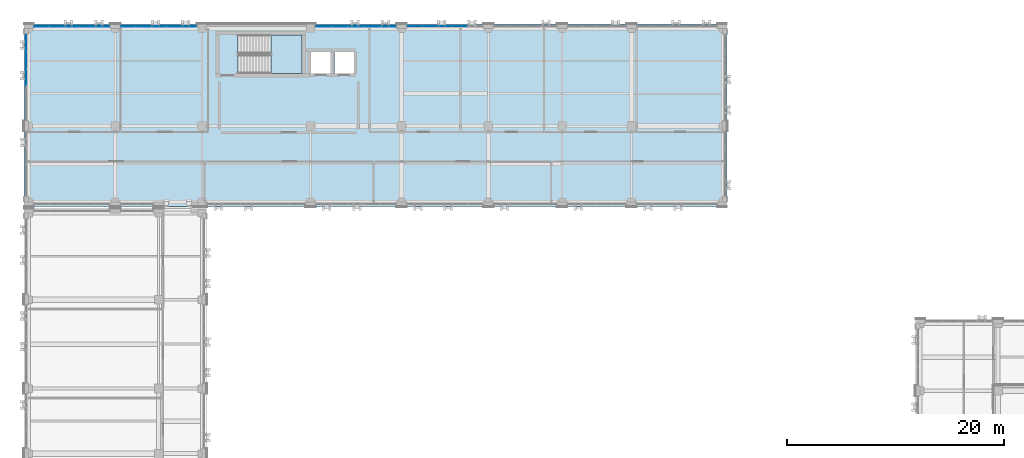
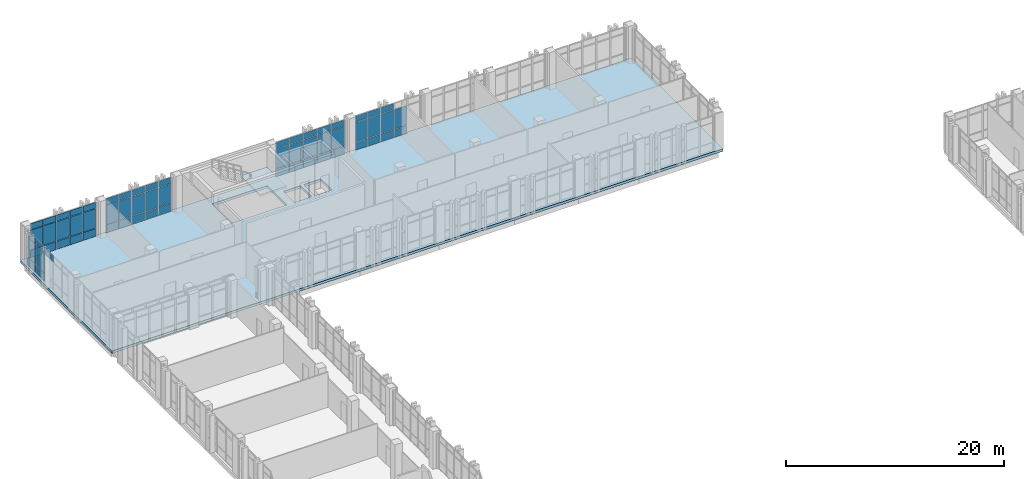
# One storey, part 124 of 158: 63 plates, 2 slabs, 6 elements without a shape of their own.
"""IFC4 building model written with IfcOpenShell, lengths in metres."""

from ifc_helpers import new_model, si_unit, direction, frame, origin, origin_2d, place, context, subcontext, project, spatial, polyline, rectangle, outline, extrude, material, layer, layer_set, type_object, element, aggregate, save


model = new_model("IFC4")

# Units and contexts
model_context = context("Model", 3, precision=1e-05, world=origin(), true_north=direction((0.0, 1.0)))
body_context = subcontext(model_context, "Body", "Model", "MODEL_VIEW")
ifc_project = project(units=[si_unit("LENGTHUNIT", "METRE"), si_unit("AREAUNIT", "SQUARE_METRE"), si_unit("VOLUMEUNIT", "CUBIC_METRE"), si_unit("PLANEANGLEUNIT", "RADIAN"), si_unit("MASSUNIT", "GRAM", prefix="KILO")], contexts=[model_context])

# Site, building, storey
site_placement = place(None, origin())
site = spatial("IfcSite", under=ifc_project, at=site_placement, CompositionType="ELEMENT")
building_placement = place(site_placement, origin())
building = spatial("IfcBuilding", under=site, at=building_placement, Name="Qalavern Law Courts", CompositionType="ELEMENT")
storey_placement = place(building_placement, frame((0.0, 0.0, 18.60009765625)))
storey = spatial("IfcBuildingStorey", under=building, at=storey_placement, Name="L04", CompositionType="ELEMENT", Elevation=18.60009765625)

# Curtain wall, plates
ifc_material_1 = material(Name="Anodised aluminium and insulated glazing", Category="aluminium")
ifc_layer_1 = layer(ifc_material_1, 0.166015625)
ifc_layer_set_1 = layer_set([ifc_layer_1], Name="Anodised aluminium and insulated glazing")
curtain_wall_type = type_object("IfcCurtainWallType", Name="ENV-CW-LIB", PredefinedType="USERDEFINED", material=ifc_layer_set_1)
curtain_wall_1_placement = place(storey_placement, origin())
curtain_wall_1 = element("IfcCurtainWall", 1, at=curtain_wall_1_placement, inside=storey, type_object=curtain_wall_type, Name="V5 unitised curtain wall L04 west 1", ObjectType="UNITISED CURTAIN WALL", PredefinedType="USERDEFINED")
ifc_material_2 = material(Name="Insulated low-E acoustic glazing", Category="glass")
ifc_layer_2 = layer(ifc_material_2, 0.02392578125)
ifc_layer_set_2 = layer_set([ifc_layer_2], Name="Insulated low-E acoustic glazing")
plate_type_1 = type_object("IfcPlateType", Name="ENV-CWP-24", PredefinedType="CURTAIN_PANEL", material=ifc_layer_set_2)
plate_1_placement = place(storey_placement, frame((2.199951171875, 111.24755859375, 0.0478515625), z_axis=(0.0, 0.0, 1.0), x_axis=(0.0, -1.0, 0.0)))
plate_1 = element("IfcPlate", 2, at=plate_1_placement, type_object=plate_type_1, Name="CW-05 panel 1.1", PredefinedType="CURTAIN_PANEL", context=body_context, shape_type="SweptSolid", body=[
    extrude(rectangle(XDim=1.51904296875, YDim=0.02392578125, at=origin_2d()), origin(), (0.0, 0.0, 1.0), 0.8779296875),
])
plate_2_placement = place(storey_placement, frame((2.199951171875, 111.24755859375, 0.97412109375), z_axis=(0.0, 0.0, 1.0), x_axis=(0.0, -1.0, 0.0)))
plate_2 = element("IfcPlate", 3, at=plate_2_placement, type_object=plate_type_1, Name="CW-05 panel 1.2", PredefinedType="CURTAIN_PANEL", context=body_context, shape_type="SweptSolid", body=[
    extrude(rectangle(XDim=1.51904296875, YDim=0.02392578125, at=origin_2d()), origin(), (0.0, 0.0, 1.0), 2.177001953125),
])
plate_3_placement = place(storey_placement, frame((2.199951171875, 111.24755859375, 3.19873046875), z_axis=(0.0, 0.0, 1.0), x_axis=(0.0, -1.0, 0.0)))
plate_3 = element("IfcPlate", 4, at=plate_3_placement, type_object=plate_type_1, Name="CW-05 panel 1.3", PredefinedType="CURTAIN_PANEL", context=body_context, shape_type="SweptSolid", body=[
    extrude(rectangle(XDim=1.51904296875, YDim=0.02392578125, at=origin_2d()), origin(), (0.0, 0.0, 1.0), 0.677978515625),
])
plate_4_placement = place(storey_placement, frame((2.199951171875, 109.66845703125, 0.0478515625), z_axis=(0.0, 0.0, 1.0), x_axis=(0.0, -1.0, 0.0)))
plate_4 = element("IfcPlate", 5, at=plate_4_placement, type_object=plate_type_1, Name="CW-05 panel 2.1", PredefinedType="CURTAIN_PANEL", context=body_context, shape_type="SweptSolid", body=[
    extrude(rectangle(XDim=1.54296875, YDim=0.02392578125, at=origin_2d()), origin(), (0.0, 0.0, 1.0), 0.8779296875),
])
plate_5_placement = place(storey_placement, frame((2.199951171875, 109.66845703125, 0.97412109375), z_axis=(0.0, 0.0, 1.0), x_axis=(0.0, -1.0, 0.0)))
plate_5 = element("IfcPlate", 6, at=plate_5_placement, type_object=plate_type_1, Name="CW-05 panel 2.2", PredefinedType="CURTAIN_PANEL", context=body_context, shape_type="SweptSolid", body=[
    extrude(rectangle(XDim=1.54296875, YDim=0.02392578125, at=origin_2d()), origin(), (0.0, 0.0, 1.0), 2.177001953125),
])
plate_6_placement = place(storey_placement, frame((2.199951171875, 109.66845703125, 3.19873046875), z_axis=(0.0, 0.0, 1.0), x_axis=(0.0, -1.0, 0.0)))
plate_6 = element("IfcPlate", 7, at=plate_6_placement, type_object=plate_type_1, Name="CW-05 panel 2.3", PredefinedType="CURTAIN_PANEL", context=body_context, shape_type="SweptSolid", body=[
    extrude(rectangle(XDim=1.54296875, YDim=0.02392578125, at=origin_2d()), origin(), (0.0, 0.0, 1.0), 0.677978515625),
])
plate_7_placement = place(storey_placement, frame((2.199951171875, 108.077392578125, 3.19873046875), z_axis=(0.0, 0.0, 1.0), x_axis=(0.0, -1.0, 0.0)))
plate_7 = element("IfcPlate", 8, at=plate_7_placement, type_object=plate_type_1, Name="CW-05 panel 3.3", PredefinedType="CURTAIN_PANEL", context=body_context, shape_type="SweptSolid", body=[
    extrude(rectangle(XDim=1.54296875, YDim=0.02392578125, at=origin_2d()), origin(), (0.0, 0.0, 1.0), 0.677978515625),
])
aggregate(curtain_wall_1, [plate_1, plate_2, plate_3, plate_4, plate_5, plate_6, plate_7])

curtain_wall_2_placement = place(storey_placement, origin())
curtain_wall_2 = element("IfcCurtainWall", 9, at=curtain_wall_2_placement, inside=storey, type_object=curtain_wall_type, Name="V5 unitised curtain wall L04 north 4", ObjectType="UNITISED CURTAIN WALL", PredefinedType="USERDEFINED")
ifc_layer_3 = layer(ifc_material_2, 0.035888671875)
ifc_layer_set_3 = layer_set([ifc_layer_3], Name="Insulated low-E acoustic glazing")
plate_type_2 = type_object("IfcPlateType", Name="ENV-CWP-36", PredefinedType="CURTAIN_PANEL", material=ifc_layer_set_3)
plate_8_placement = place(storey_placement, frame((42.199951171875, 112.800048828125, 0.0478515625), z_axis=(0.0, 0.0, 1.0), x_axis=(-1.0, 0.0, 0.0)))
plate_8 = element("IfcPlate", 10, at=plate_8_placement, type_object=plate_type_2, Name="CW-05 panel 2.1", PredefinedType="CURTAIN_PANEL", context=body_context, shape_type="SweptSolid", body=[
    extrude(rectangle(XDim=1.35205078125, YDim=0.035888671875, at=origin_2d()), origin(), (0.0, 0.0, 1.0), 0.8779296875),
])
plate_9_placement = place(storey_placement, frame((42.199951171875, 112.800048828125, 0.97412109375), z_axis=(0.0, 0.0, 1.0), x_axis=(-1.0, 0.0, 0.0)))
plate_9 = element("IfcPlate", 11, at=plate_9_placement, type_object=plate_type_2, Name="CW-05 panel 2.2", PredefinedType="CURTAIN_PANEL", context=body_context, shape_type="SweptSolid", body=[
    extrude(rectangle(XDim=1.35205078125, YDim=0.035888671875, at=origin_2d()), origin(), (0.0, 0.0, 1.0), 2.177001953125),
])
plate_10_placement = place(storey_placement, frame((40.800048828125, 112.800048828125, 0.0478515625), z_axis=(0.0, 0.0, 1.0), x_axis=(-1.0, 0.0, 0.0)))
plate_10 = element("IfcPlate", 12, at=plate_10_placement, type_object=plate_type_2, Name="CW-05 panel 3.1", PredefinedType="CURTAIN_PANEL", context=body_context, shape_type="SweptSolid", body=[
    extrude(rectangle(XDim=1.35205078125, YDim=0.035888671875, at=origin_2d()), origin(), (0.0, 0.0, 1.0), 0.8779296875),
])
plate_11_placement = place(storey_placement, frame((40.800048828125, 112.800048828125, 0.97412109375), z_axis=(0.0, 0.0, 1.0), x_axis=(-1.0, 0.0, 0.0)))
plate_11 = element("IfcPlate", 13, at=plate_11_placement, type_object=plate_type_2, Name="CW-05 panel 3.2", PredefinedType="CURTAIN_PANEL", context=body_context, shape_type="SweptSolid", body=[
    extrude(rectangle(XDim=1.35205078125, YDim=0.035888671875, at=origin_2d()), origin(), (0.0, 0.0, 1.0), 2.177001953125),
])
plate_12_placement = place(storey_placement, frame((40.800048828125, 112.800048828125, 3.19873046875), z_axis=(0.0, 0.0, 1.0), x_axis=(-1.0, 0.0, 0.0)))
plate_12 = element("IfcPlate", 14, at=plate_12_placement, type_object=plate_type_2, Name="CW-05 panel 3.3", PredefinedType="CURTAIN_PANEL", context=body_context, shape_type="SweptSolid", body=[
    extrude(rectangle(XDim=1.35205078125, YDim=0.035888671875, at=origin_2d()), origin(), (0.0, 0.0, 1.0), 0.677978515625),
])
plate_13_placement = place(storey_placement, frame((39.39990234375, 112.800048828125, 0.0478515625), z_axis=(0.0, 0.0, 1.0), x_axis=(-1.0, 0.0, 0.0)))
plate_13 = element("IfcPlate", 15, at=plate_13_placement, type_object=plate_type_2, Name="CW-05 panel 4.1", PredefinedType="CURTAIN_PANEL", context=body_context, shape_type="SweptSolid", body=[
    extrude(rectangle(XDim=1.35205078125, YDim=0.035888671875, at=origin_2d()), origin(), (0.0, 0.0, 1.0), 0.8779296875),
])
plate_14_placement = place(storey_placement, frame((39.39990234375, 112.800048828125, 0.97412109375), z_axis=(0.0, 0.0, 1.0), x_axis=(-1.0, 0.0, 0.0)))
plate_14 = element("IfcPlate", 16, at=plate_14_placement, type_object=plate_type_2, Name="CW-05 panel 4.2", PredefinedType="CURTAIN_PANEL", context=body_context, shape_type="SweptSolid", body=[
    extrude(rectangle(XDim=1.35205078125, YDim=0.035888671875, at=origin_2d()), origin(), (0.0, 0.0, 1.0), 2.177001953125),
])
plate_15_placement = place(storey_placement, frame((39.39990234375, 112.800048828125, 3.19873046875), z_axis=(0.0, 0.0, 1.0), x_axis=(-1.0, 0.0, 0.0)))
plate_15 = element("IfcPlate", 17, at=plate_15_placement, type_object=plate_type_2, Name="CW-05 panel 4.3", PredefinedType="CURTAIN_PANEL", context=body_context, shape_type="SweptSolid", body=[
    extrude(rectangle(XDim=1.35205078125, YDim=0.035888671875, at=origin_2d()), origin(), (0.0, 0.0, 1.0), 0.677978515625),
])
plate_16_placement = place(storey_placement, frame((38.011962890625, 112.800048828125, 0.0478515625), z_axis=(0.0, 0.0, 1.0), x_axis=(-1.0, 0.0, 0.0)))
plate_16 = element("IfcPlate", 18, at=plate_16_placement, type_object=plate_type_2, Name="CW-05 panel 5.1", PredefinedType="CURTAIN_PANEL", context=body_context, shape_type="SweptSolid", body=[
    extrude(rectangle(XDim=1.327880859375, YDim=0.035888671875, at=origin_2d()), origin(), (0.0, 0.0, 1.0), 0.8779296875),
])
plate_17_placement = place(storey_placement, frame((38.011962890625, 112.800048828125, 0.97412109375), z_axis=(0.0, 0.0, 1.0), x_axis=(-1.0, 0.0, 0.0)))
plate_17 = element("IfcPlate", 19, at=plate_17_placement, type_object=plate_type_2, Name="CW-05 panel 5.2", PredefinedType="CURTAIN_PANEL", context=body_context, shape_type="SweptSolid", body=[
    extrude(rectangle(XDim=1.327880859375, YDim=0.035888671875, at=origin_2d()), origin(), (0.0, 0.0, 1.0), 2.177001953125),
])
plate_18_placement = place(storey_placement, frame((38.011962890625, 112.800048828125, 3.19873046875), z_axis=(0.0, 0.0, 1.0), x_axis=(-1.0, 0.0, 0.0)))
plate_18 = element("IfcPlate", 20, at=plate_18_placement, type_object=plate_type_2, Name="CW-05 panel 5.3", PredefinedType="CURTAIN_PANEL", context=body_context, shape_type="SweptSolid", body=[
    extrude(rectangle(XDim=1.327880859375, YDim=0.035888671875, at=origin_2d()), origin(), (0.0, 0.0, 1.0), 0.677978515625),
])
aggregate(curtain_wall_2, [plate_8, plate_9, plate_10, plate_11, plate_12, plate_13, plate_14, plate_15, plate_16, plate_17, plate_18])

curtain_wall_3_placement = place(storey_placement, origin())
curtain_wall_3 = element("IfcCurtainWall", 21, at=curtain_wall_3_placement, inside=storey, type_object=curtain_wall_type, Name="V5 unitised curtain wall L04 north 5", ObjectType="UNITISED CURTAIN WALL", PredefinedType="USERDEFINED")
ifc_layer_4 = layer(ifc_material_2, 0.0400390625)
ifc_layer_set_4 = layer_set([ifc_layer_4], Name="Insulated low-E acoustic glazing")
plate_type_3 = type_object("IfcPlateType", Name="ENV-CWP-40", PredefinedType="CURTAIN_PANEL", material=ifc_layer_set_4)
plate_19_placement = place(storey_placement, frame((35.548095703125, 112.800048828125, 0.0478515625), z_axis=(0.0, 0.0, 1.0), x_axis=(-1.0, 0.0, 0.0)))
plate_19 = element("IfcPlate", 22, at=plate_19_placement, type_object=plate_type_3, Name="CW-05 panel 1.1", PredefinedType="CURTAIN_PANEL", context=body_context, shape_type="SweptSolid", body=[
    extrude(rectangle(XDim=1.407958984375, YDim=0.0400390625, at=origin_2d()), origin(), (0.0, 0.0, 1.0), 0.8779296875),
])
plate_20_placement = place(storey_placement, frame((35.548095703125, 112.800048828125, 0.97412109375), z_axis=(0.0, 0.0, 1.0), x_axis=(-1.0, 0.0, 0.0)))
plate_20 = element("IfcPlate", 23, at=plate_20_placement, type_object=plate_type_3, Name="CW-05 panel 1.2", PredefinedType="CURTAIN_PANEL", context=body_context, shape_type="SweptSolid", body=[
    extrude(rectangle(XDim=1.407958984375, YDim=0.0400390625, at=origin_2d()), origin(), (0.0, 0.0, 1.0), 2.177001953125),
])
plate_21_placement = place(storey_placement, frame((35.548095703125, 112.800048828125, 3.19873046875), z_axis=(0.0, 0.0, 1.0), x_axis=(-1.0, 0.0, 0.0)))
plate_21 = element("IfcPlate", 24, at=plate_21_placement, type_object=plate_type_3, Name="CW-05 panel 1.3", PredefinedType="CURTAIN_PANEL", context=body_context, shape_type="SweptSolid", body=[
    extrude(rectangle(XDim=1.407958984375, YDim=0.0400390625, at=origin_2d()), origin(), (0.0, 0.0, 1.0), 0.677978515625),
])
plate_22_placement = place(storey_placement, frame((34.080078125, 112.800048828125, 0.0478515625), z_axis=(0.0, 0.0, 1.0), x_axis=(-1.0, 0.0, 0.0)))
plate_22 = element("IfcPlate", 25, at=plate_22_placement, type_object=plate_type_3, Name="CW-05 panel 2.1", PredefinedType="CURTAIN_PANEL", context=body_context, shape_type="SweptSolid", body=[
    extrude(rectangle(XDim=1.431884765625, YDim=0.0400390625, at=origin_2d()), origin(), (0.0, 0.0, 1.0), 0.8779296875),
])
plate_23_placement = place(storey_placement, frame((34.080078125, 112.800048828125, 0.97412109375), z_axis=(0.0, 0.0, 1.0), x_axis=(-1.0, 0.0, 0.0)))
plate_23 = element("IfcPlate", 26, at=plate_23_placement, type_object=plate_type_3, Name="CW-05 panel 2.2", PredefinedType="CURTAIN_PANEL", context=body_context, shape_type="SweptSolid", body=[
    extrude(rectangle(XDim=1.431884765625, YDim=0.0400390625, at=origin_2d()), origin(), (0.0, 0.0, 1.0), 2.177001953125),
])
plate_24_placement = place(storey_placement, frame((34.080078125, 112.800048828125, 3.19873046875), z_axis=(0.0, 0.0, 1.0), x_axis=(-1.0, 0.0, 0.0)))
plate_24 = element("IfcPlate", 27, at=plate_24_placement, type_object=plate_type_3, Name="CW-05 panel 2.3", PredefinedType="CURTAIN_PANEL", context=body_context, shape_type="SweptSolid", body=[
    extrude(rectangle(XDim=1.431884765625, YDim=0.0400390625, at=origin_2d()), origin(), (0.0, 0.0, 1.0), 0.677978515625),
])
plate_25_placement = place(storey_placement, frame((32.60009765625, 112.800048828125, 0.0478515625), z_axis=(0.0, 0.0, 1.0), x_axis=(-1.0, 0.0, 0.0)))
plate_25 = element("IfcPlate", 28, at=plate_25_placement, type_object=plate_type_3, Name="CW-05 panel 3.1", PredefinedType="CURTAIN_PANEL", context=body_context, shape_type="SweptSolid", body=[
    extrude(rectangle(XDim=1.431884765625, YDim=0.0400390625, at=origin_2d()), origin(), (0.0, 0.0, 1.0), 0.8779296875),
])
plate_26_placement = place(storey_placement, frame((32.60009765625, 112.800048828125, 0.97412109375), z_axis=(0.0, 0.0, 1.0), x_axis=(-1.0, 0.0, 0.0)))
plate_26 = element("IfcPlate", 29, at=plate_26_placement, type_object=plate_type_3, Name="CW-05 panel 3.2", PredefinedType="CURTAIN_PANEL", context=body_context, shape_type="SweptSolid", body=[
    extrude(rectangle(XDim=1.431884765625, YDim=0.0400390625, at=origin_2d()), origin(), (0.0, 0.0, 1.0), 2.177001953125),
])
plate_27_placement = place(storey_placement, frame((32.60009765625, 112.800048828125, 3.19873046875), z_axis=(0.0, 0.0, 1.0), x_axis=(-1.0, 0.0, 0.0)))
plate_27 = element("IfcPlate", 30, at=plate_27_placement, type_object=plate_type_3, Name="CW-05 panel 3.3", PredefinedType="CURTAIN_PANEL", context=body_context, shape_type="SweptSolid", body=[
    extrude(rectangle(XDim=1.431884765625, YDim=0.0400390625, at=origin_2d()), origin(), (0.0, 0.0, 1.0), 0.677978515625),
])
plate_28_placement = place(storey_placement, frame((31.1201171875, 112.800048828125, 0.0478515625), z_axis=(0.0, 0.0, 1.0), x_axis=(-1.0, 0.0, 0.0)))
plate_28 = element("IfcPlate", 31, at=plate_28_placement, type_object=plate_type_3, Name="CW-05 panel 4.1", PredefinedType="CURTAIN_PANEL", context=body_context, shape_type="SweptSolid", body=[
    extrude(rectangle(XDim=1.431884765625, YDim=0.0400390625, at=origin_2d()), origin(), (0.0, 0.0, 1.0), 0.8779296875),
])
plate_29_placement = place(storey_placement, frame((31.1201171875, 112.800048828125, 0.97412109375), z_axis=(0.0, 0.0, 1.0), x_axis=(-1.0, 0.0, 0.0)))
plate_29 = element("IfcPlate", 32, at=plate_29_placement, type_object=plate_type_3, Name="CW-05 panel 4.2", PredefinedType="CURTAIN_PANEL", context=body_context, shape_type="SweptSolid", body=[
    extrude(rectangle(XDim=1.431884765625, YDim=0.0400390625, at=origin_2d()), origin(), (0.0, 0.0, 1.0), 2.177001953125),
])
plate_30_placement = place(storey_placement, frame((31.1201171875, 112.800048828125, 3.19873046875), z_axis=(0.0, 0.0, 1.0), x_axis=(-1.0, 0.0, 0.0)))
plate_30 = element("IfcPlate", 33, at=plate_30_placement, type_object=plate_type_3, Name="CW-05 panel 4.3", PredefinedType="CURTAIN_PANEL", context=body_context, shape_type="SweptSolid", body=[
    extrude(rectangle(XDim=1.431884765625, YDim=0.0400390625, at=origin_2d()), origin(), (0.0, 0.0, 1.0), 0.677978515625),
])
plate_31_placement = place(storey_placement, frame((29.652099609375, 112.800048828125, 0.0478515625), z_axis=(0.0, 0.0, 1.0), x_axis=(-1.0, 0.0, 0.0)))
plate_31 = element("IfcPlate", 34, at=plate_31_placement, type_object=plate_type_3, Name="CW-05 panel 5.1", PredefinedType="CURTAIN_PANEL", context=body_context, shape_type="SweptSolid", body=[
    extrude(rectangle(XDim=1.407958984375, YDim=0.0400390625, at=origin_2d()), origin(), (0.0, 0.0, 1.0), 0.8779296875),
])
plate_32_placement = place(storey_placement, frame((29.652099609375, 112.800048828125, 0.97412109375), z_axis=(0.0, 0.0, 1.0), x_axis=(-1.0, 0.0, 0.0)))
plate_32 = element("IfcPlate", 35, at=plate_32_placement, type_object=plate_type_3, Name="CW-05 panel 5.2", PredefinedType="CURTAIN_PANEL", context=body_context, shape_type="SweptSolid", body=[
    extrude(rectangle(XDim=1.407958984375, YDim=0.0400390625, at=origin_2d()), origin(), (0.0, 0.0, 1.0), 2.177001953125),
])
plate_33_placement = place(storey_placement, frame((29.652099609375, 112.800048828125, 3.19873046875), z_axis=(0.0, 0.0, 1.0), x_axis=(-1.0, 0.0, 0.0)))
plate_33 = element("IfcPlate", 36, at=plate_33_placement, type_object=plate_type_3, Name="CW-05 panel 5.3", PredefinedType="CURTAIN_PANEL", context=body_context, shape_type="SweptSolid", body=[
    extrude(rectangle(XDim=1.407958984375, YDim=0.0400390625, at=origin_2d()), origin(), (0.0, 0.0, 1.0), 0.677978515625),
])
aggregate(curtain_wall_3, [plate_19, plate_20, plate_21, plate_22, plate_23, plate_24, plate_25, plate_26, plate_27, plate_28, plate_29, plate_30, plate_31, plate_32, plate_33])

curtain_wall_4_placement = place(storey_placement, origin())
curtain_wall_4 = element("IfcCurtainWall", 37, at=curtain_wall_4_placement, inside=storey, type_object=curtain_wall_type, Name="V5 unitised curtain wall L04 north 6", ObjectType="UNITISED CURTAIN WALL", PredefinedType="USERDEFINED")
ifc_layer_5 = layer(ifc_material_2, 0.0439453125)
ifc_layer_set_5 = layer_set([ifc_layer_5], Name="Insulated low-E acoustic glazing")
plate_type_4 = type_object("IfcPlateType", Name="ENV-CWP-44", PredefinedType="CURTAIN_PANEL", material=ifc_layer_set_5)
plate_34_placement = place(storey_placement, frame((17.18798828125, 112.800048828125, 0.0478515625), z_axis=(0.0, 0.0, 1.0), x_axis=(-1.0, 0.0, 0.0)))
plate_34 = element("IfcPlate", 38, at=plate_34_placement, type_object=plate_type_4, Name="CW-05 panel 1.1", PredefinedType="CURTAIN_PANEL", context=body_context, shape_type="SweptSolid", body=[
    extrude(rectangle(XDim=1.327880859375, YDim=0.0439453125, at=origin_2d()), origin(), (0.0, 0.0, 1.0), 0.8779296875),
])
plate_35_placement = place(storey_placement, frame((17.18798828125, 112.800048828125, 0.97412109375), z_axis=(0.0, 0.0, 1.0), x_axis=(-1.0, 0.0, 0.0)))
plate_35 = element("IfcPlate", 39, at=plate_35_placement, type_object=plate_type_4, Name="CW-05 panel 1.2", PredefinedType="CURTAIN_PANEL", context=body_context, shape_type="SweptSolid", body=[
    extrude(rectangle(XDim=1.327880859375, YDim=0.0439453125, at=origin_2d()), origin(), (0.0, 0.0, 1.0), 2.177001953125),
])
plate_36_placement = place(storey_placement, frame((17.18798828125, 112.800048828125, 3.19873046875), z_axis=(0.0, 0.0, 1.0), x_axis=(-1.0, 0.0, 0.0)))
plate_36 = element("IfcPlate", 40, at=plate_36_placement, type_object=plate_type_4, Name="CW-05 panel 1.3", PredefinedType="CURTAIN_PANEL", context=body_context, shape_type="SweptSolid", body=[
    extrude(rectangle(XDim=1.327880859375, YDim=0.0439453125, at=origin_2d()), origin(), (0.0, 0.0, 1.0), 0.677978515625),
])
plate_37_placement = place(storey_placement, frame((15.800048828125, 112.800048828125, 0.0478515625), z_axis=(0.0, 0.0, 1.0), x_axis=(-1.0, 0.0, 0.0)))
plate_37 = element("IfcPlate", 41, at=plate_37_placement, type_object=plate_type_4, Name="CW-05 panel 2.1", PredefinedType="CURTAIN_PANEL", context=body_context, shape_type="SweptSolid", body=[
    extrude(rectangle(XDim=1.35205078125, YDim=0.0439453125, at=origin_2d()), origin(), (0.0, 0.0, 1.0), 0.8779296875),
])
plate_38_placement = place(storey_placement, frame((15.800048828125, 112.800048828125, 0.97412109375), z_axis=(0.0, 0.0, 1.0), x_axis=(-1.0, 0.0, 0.0)))
plate_38 = element("IfcPlate", 42, at=plate_38_placement, type_object=plate_type_4, Name="CW-05 panel 2.2", PredefinedType="CURTAIN_PANEL", context=body_context, shape_type="SweptSolid", body=[
    extrude(rectangle(XDim=1.35205078125, YDim=0.0439453125, at=origin_2d()), origin(), (0.0, 0.0, 1.0), 2.177001953125),
])
plate_39_placement = place(storey_placement, frame((15.800048828125, 112.800048828125, 3.19873046875), z_axis=(0.0, 0.0, 1.0), x_axis=(-1.0, 0.0, 0.0)))
plate_39 = element("IfcPlate", 43, at=plate_39_placement, type_object=plate_type_4, Name="CW-05 panel 2.3", PredefinedType="CURTAIN_PANEL", context=body_context, shape_type="SweptSolid", body=[
    extrude(rectangle(XDim=1.35205078125, YDim=0.0439453125, at=origin_2d()), origin(), (0.0, 0.0, 1.0), 0.677978515625),
])
plate_40_placement = place(storey_placement, frame((14.39990234375, 112.800048828125, 0.0478515625), z_axis=(0.0, 0.0, 1.0), x_axis=(-1.0, 0.0, 0.0)))
plate_40 = element("IfcPlate", 44, at=plate_40_placement, type_object=plate_type_4, Name="CW-05 panel 3.1", PredefinedType="CURTAIN_PANEL", context=body_context, shape_type="SweptSolid", body=[
    extrude(rectangle(XDim=1.35205078125, YDim=0.0439453125, at=origin_2d()), origin(), (0.0, 0.0, 1.0), 0.8779296875),
])
plate_41_placement = place(storey_placement, frame((14.39990234375, 112.800048828125, 0.97412109375), z_axis=(0.0, 0.0, 1.0), x_axis=(-1.0, 0.0, 0.0)))
plate_41 = element("IfcPlate", 45, at=plate_41_placement, type_object=plate_type_4, Name="CW-05 panel 3.2", PredefinedType="CURTAIN_PANEL", context=body_context, shape_type="SweptSolid", body=[
    extrude(rectangle(XDim=1.35205078125, YDim=0.0439453125, at=origin_2d()), origin(), (0.0, 0.0, 1.0), 2.177001953125),
])
plate_42_placement = place(storey_placement, frame((14.39990234375, 112.800048828125, 3.19873046875), z_axis=(0.0, 0.0, 1.0), x_axis=(-1.0, 0.0, 0.0)))
plate_42 = element("IfcPlate", 46, at=plate_42_placement, type_object=plate_type_4, Name="CW-05 panel 3.3", PredefinedType="CURTAIN_PANEL", context=body_context, shape_type="SweptSolid", body=[
    extrude(rectangle(XDim=1.35205078125, YDim=0.0439453125, at=origin_2d()), origin(), (0.0, 0.0, 1.0), 0.677978515625),
])
plate_43_placement = place(storey_placement, frame((13.0, 112.800048828125, 0.0478515625), z_axis=(0.0, 0.0, 1.0), x_axis=(-1.0, 0.0, 0.0)))
plate_43 = element("IfcPlate", 47, at=plate_43_placement, type_object=plate_type_4, Name="CW-05 panel 4.1", PredefinedType="CURTAIN_PANEL", context=body_context, shape_type="SweptSolid", body=[
    extrude(rectangle(XDim=1.35205078125, YDim=0.0439453125, at=origin_2d()), origin(), (0.0, 0.0, 1.0), 0.8779296875),
])
plate_44_placement = place(storey_placement, frame((13.0, 112.800048828125, 0.97412109375), z_axis=(0.0, 0.0, 1.0), x_axis=(-1.0, 0.0, 0.0)))
plate_44 = element("IfcPlate", 48, at=plate_44_placement, type_object=plate_type_4, Name="CW-05 panel 4.2", PredefinedType="CURTAIN_PANEL", context=body_context, shape_type="SweptSolid", body=[
    extrude(rectangle(XDim=1.35205078125, YDim=0.0439453125, at=origin_2d()), origin(), (0.0, 0.0, 1.0), 2.177001953125),
])
plate_45_placement = place(storey_placement, frame((13.0, 112.800048828125, 3.19873046875), z_axis=(0.0, 0.0, 1.0), x_axis=(-1.0, 0.0, 0.0)))
plate_45 = element("IfcPlate", 49, at=plate_45_placement, type_object=plate_type_4, Name="CW-05 panel 4.3", PredefinedType="CURTAIN_PANEL", context=body_context, shape_type="SweptSolid", body=[
    extrude(rectangle(XDim=1.35205078125, YDim=0.0439453125, at=origin_2d()), origin(), (0.0, 0.0, 1.0), 0.677978515625),
])
plate_46_placement = place(storey_placement, frame((11.612060546875, 112.800048828125, 0.0478515625), z_axis=(0.0, 0.0, 1.0), x_axis=(-1.0, 0.0, 0.0)))
plate_46 = element("IfcPlate", 50, at=plate_46_placement, type_object=plate_type_4, Name="CW-05 panel 5.1", PredefinedType="CURTAIN_PANEL", context=body_context, shape_type="SweptSolid", body=[
    extrude(rectangle(XDim=1.327880859375, YDim=0.0439453125, at=origin_2d()), origin(), (0.0, 0.0, 1.0), 0.8779296875),
])
plate_47_placement = place(storey_placement, frame((11.612060546875, 112.800048828125, 0.97412109375), z_axis=(0.0, 0.0, 1.0), x_axis=(-1.0, 0.0, 0.0)))
plate_47 = element("IfcPlate", 51, at=plate_47_placement, type_object=plate_type_4, Name="CW-05 panel 5.2", PredefinedType="CURTAIN_PANEL", context=body_context, shape_type="SweptSolid", body=[
    extrude(rectangle(XDim=1.327880859375, YDim=0.0439453125, at=origin_2d()), origin(), (0.0, 0.0, 1.0), 2.177001953125),
])
plate_48_placement = place(storey_placement, frame((11.612060546875, 112.800048828125, 3.19873046875), z_axis=(0.0, 0.0, 1.0), x_axis=(-1.0, 0.0, 0.0)))
plate_48 = element("IfcPlate", 52, at=plate_48_placement, type_object=plate_type_4, Name="CW-05 panel 5.3", PredefinedType="CURTAIN_PANEL", context=body_context, shape_type="SweptSolid", body=[
    extrude(rectangle(XDim=1.327880859375, YDim=0.0439453125, at=origin_2d()), origin(), (0.0, 0.0, 1.0), 0.677978515625),
])
aggregate(curtain_wall_4, [plate_34, plate_35, plate_36, plate_37, plate_38, plate_39, plate_40, plate_41, plate_42, plate_43, plate_44, plate_45, plate_46, plate_47, plate_48])

curtain_wall_5_placement = place(storey_placement, origin())
curtain_wall_5 = element("IfcCurtainWall", 53, at=curtain_wall_5_placement, inside=storey, type_object=curtain_wall_type, Name="V5 unitised curtain wall L04 north 7", ObjectType="UNITISED CURTAIN WALL", PredefinedType="USERDEFINED")
ifc_layer_6 = layer(ifc_material_2, 0.048095703125)
ifc_layer_set_6 = layer_set([ifc_layer_6], Name="Insulated low-E acoustic glazing")
plate_type_5 = type_object("IfcPlateType", Name="ENV-CWP-48", PredefinedType="CURTAIN_PANEL", material=ifc_layer_set_6)
plate_49_placement = place(storey_placement, frame((9.18798828125, 112.800048828125, 0.0478515625), z_axis=(0.0, 0.0, 1.0), x_axis=(-1.0, 0.0, 0.0)))
plate_49 = element("IfcPlate", 54, at=plate_49_placement, type_object=plate_type_5, Name="CW-05 panel 1.1", PredefinedType="CURTAIN_PANEL", context=body_context, shape_type="SweptSolid", body=[
    extrude(rectangle(XDim=1.327880859375, YDim=0.048095703125, at=origin_2d()), origin(), (0.0, 0.0, 1.0), 0.8779296875),
])
plate_50_placement = place(storey_placement, frame((9.18798828125, 112.800048828125, 0.97412109375), z_axis=(0.0, 0.0, 1.0), x_axis=(-1.0, 0.0, 0.0)))
plate_50 = element("IfcPlate", 55, at=plate_50_placement, type_object=plate_type_5, Name="CW-05 panel 1.2", PredefinedType="CURTAIN_PANEL", context=body_context, shape_type="SweptSolid", body=[
    extrude(rectangle(XDim=1.327880859375, YDim=0.048095703125, at=origin_2d()), origin(), (0.0, 0.0, 1.0), 2.177001953125),
])
plate_51_placement = place(storey_placement, frame((9.18798828125, 112.800048828125, 3.19873046875), z_axis=(0.0, 0.0, 1.0), x_axis=(-1.0, 0.0, 0.0)))
plate_51 = element("IfcPlate", 56, at=plate_51_placement, type_object=plate_type_5, Name="CW-05 panel 1.3", PredefinedType="CURTAIN_PANEL", context=body_context, shape_type="SweptSolid", body=[
    extrude(rectangle(XDim=1.327880859375, YDim=0.048095703125, at=origin_2d()), origin(), (0.0, 0.0, 1.0), 0.677978515625),
])
plate_52_placement = place(storey_placement, frame((7.800048828125, 112.800048828125, 0.0478515625), z_axis=(0.0, 0.0, 1.0), x_axis=(-1.0, 0.0, 0.0)))
plate_52 = element("IfcPlate", 57, at=plate_52_placement, type_object=plate_type_5, Name="CW-05 panel 2.1", PredefinedType="CURTAIN_PANEL", context=body_context, shape_type="SweptSolid", body=[
    extrude(rectangle(XDim=1.35205078125, YDim=0.048095703125, at=origin_2d()), origin(), (0.0, 0.0, 1.0), 0.8779296875),
])
plate_53_placement = place(storey_placement, frame((7.800048828125, 112.800048828125, 0.97412109375), z_axis=(0.0, 0.0, 1.0), x_axis=(-1.0, 0.0, 0.0)))
plate_53 = element("IfcPlate", 58, at=plate_53_placement, type_object=plate_type_5, Name="CW-05 panel 2.2", PredefinedType="CURTAIN_PANEL", context=body_context, shape_type="SweptSolid", body=[
    extrude(rectangle(XDim=1.35205078125, YDim=0.048095703125, at=origin_2d()), origin(), (0.0, 0.0, 1.0), 2.177001953125),
])
plate_54_placement = place(storey_placement, frame((7.800048828125, 112.800048828125, 3.19873046875), z_axis=(0.0, 0.0, 1.0), x_axis=(-1.0, 0.0, 0.0)))
plate_54 = element("IfcPlate", 59, at=plate_54_placement, type_object=plate_type_5, Name="CW-05 panel 2.3", PredefinedType="CURTAIN_PANEL", context=body_context, shape_type="SweptSolid", body=[
    extrude(rectangle(XDim=1.35205078125, YDim=0.048095703125, at=origin_2d()), origin(), (0.0, 0.0, 1.0), 0.677978515625),
])
plate_55_placement = place(storey_placement, frame((6.39990234375, 112.800048828125, 0.0478515625), z_axis=(0.0, 0.0, 1.0), x_axis=(-1.0, 0.0, 0.0)))
plate_55 = element("IfcPlate", 60, at=plate_55_placement, type_object=plate_type_5, Name="CW-05 panel 3.1", PredefinedType="CURTAIN_PANEL", context=body_context, shape_type="SweptSolid", body=[
    extrude(rectangle(XDim=1.35205078125, YDim=0.048095703125, at=origin_2d()), origin(), (0.0, 0.0, 1.0), 0.8779296875),
])
plate_56_placement = place(storey_placement, frame((6.39990234375, 112.800048828125, 0.97412109375), z_axis=(0.0, 0.0, 1.0), x_axis=(-1.0, 0.0, 0.0)))
plate_56 = element("IfcPlate", 61, at=plate_56_placement, type_object=plate_type_5, Name="CW-05 panel 3.2", PredefinedType="CURTAIN_PANEL", context=body_context, shape_type="SweptSolid", body=[
    extrude(rectangle(XDim=1.35205078125, YDim=0.048095703125, at=origin_2d()), origin(), (0.0, 0.0, 1.0), 2.177001953125),
])
plate_57_placement = place(storey_placement, frame((6.39990234375, 112.800048828125, 3.19873046875), z_axis=(0.0, 0.0, 1.0), x_axis=(-1.0, 0.0, 0.0)))
plate_57 = element("IfcPlate", 62, at=plate_57_placement, type_object=plate_type_5, Name="CW-05 panel 3.3", PredefinedType="CURTAIN_PANEL", context=body_context, shape_type="SweptSolid", body=[
    extrude(rectangle(XDim=1.35205078125, YDim=0.048095703125, at=origin_2d()), origin(), (0.0, 0.0, 1.0), 0.677978515625),
])
plate_58_placement = place(storey_placement, frame((5.0, 112.800048828125, 0.0478515625), z_axis=(0.0, 0.0, 1.0), x_axis=(-1.0, 0.0, 0.0)))
plate_58 = element("IfcPlate", 63, at=plate_58_placement, type_object=plate_type_5, Name="CW-05 panel 4.1", PredefinedType="CURTAIN_PANEL", context=body_context, shape_type="SweptSolid", body=[
    extrude(rectangle(XDim=1.35205078125, YDim=0.048095703125, at=origin_2d()), origin(), (0.0, 0.0, 1.0), 0.8779296875),
])
plate_59_placement = place(storey_placement, frame((5.0, 112.800048828125, 0.97412109375), z_axis=(0.0, 0.0, 1.0), x_axis=(-1.0, 0.0, 0.0)))
plate_59 = element("IfcPlate", 64, at=plate_59_placement, type_object=plate_type_5, Name="CW-05 panel 4.2", PredefinedType="CURTAIN_PANEL", context=body_context, shape_type="SweptSolid", body=[
    extrude(rectangle(XDim=1.35205078125, YDim=0.048095703125, at=origin_2d()), origin(), (0.0, 0.0, 1.0), 2.177001953125),
])
plate_60_placement = place(storey_placement, frame((5.0, 112.800048828125, 3.19873046875), z_axis=(0.0, 0.0, 1.0), x_axis=(-1.0, 0.0, 0.0)))
plate_60 = element("IfcPlate", 65, at=plate_60_placement, type_object=plate_type_5, Name="CW-05 panel 4.3", PredefinedType="CURTAIN_PANEL", context=body_context, shape_type="SweptSolid", body=[
    extrude(rectangle(XDim=1.35205078125, YDim=0.048095703125, at=origin_2d()), origin(), (0.0, 0.0, 1.0), 0.677978515625),
])
plate_61_placement = place(storey_placement, frame((3.612060546875, 112.800048828125, 0.0478515625), z_axis=(0.0, 0.0, 1.0), x_axis=(-1.0, 0.0, 0.0)))
plate_61 = element("IfcPlate", 66, at=plate_61_placement, type_object=plate_type_5, Name="CW-05 panel 5.1", PredefinedType="CURTAIN_PANEL", context=body_context, shape_type="SweptSolid", body=[
    extrude(rectangle(XDim=1.327880859375, YDim=0.048095703125, at=origin_2d()), origin(), (0.0, 0.0, 1.0), 0.8779296875),
])
plate_62_placement = place(storey_placement, frame((3.612060546875, 112.800048828125, 0.97412109375), z_axis=(0.0, 0.0, 1.0), x_axis=(-1.0, 0.0, 0.0)))
plate_62 = element("IfcPlate", 67, at=plate_62_placement, type_object=plate_type_5, Name="CW-05 panel 5.2", PredefinedType="CURTAIN_PANEL", context=body_context, shape_type="SweptSolid", body=[
    extrude(rectangle(XDim=1.327880859375, YDim=0.048095703125, at=origin_2d()), origin(), (0.0, 0.0, 1.0), 2.177001953125),
])
plate_63_placement = place(storey_placement, frame((3.612060546875, 112.800048828125, 3.19873046875), z_axis=(0.0, 0.0, 1.0), x_axis=(-1.0, 0.0, 0.0)))
plate_63 = element("IfcPlate", 68, at=plate_63_placement, type_object=plate_type_5, Name="CW-05 panel 5.3", PredefinedType="CURTAIN_PANEL", context=body_context, shape_type="SweptSolid", body=[
    extrude(rectangle(XDim=1.327880859375, YDim=0.048095703125, at=origin_2d()), origin(), (0.0, 0.0, 1.0), 0.677978515625),
])
aggregate(curtain_wall_5, [plate_49, plate_50, plate_51, plate_52, plate_53, plate_54, plate_55, plate_56, plate_57, plate_58, plate_59, plate_60, plate_61, plate_62, plate_63])

# Stair, slab
ifc_material_3 = material(Name="Concrete C35/45", Category="concrete")
stair_type = type_object("IfcStairType", Name="INT-STAIR-1700", PredefinedType="HALF_TURN_STAIR", material=ifc_material_3)
stair_placement = place(storey_placement, origin())
stair = element("IfcStair", 69, at=stair_placement, inside=storey, type_object=stair_type, Name="L04 ST-K3", PredefinedType="HALF_TURN_STAIR")
ifc_layer_7 = layer(ifc_material_3, 0.199951171875)
ifc_layer_set_7 = layer_set([ifc_layer_7], Name="Concrete C35/45")
slab_type_1 = type_object("IfcSlabType", Name="INT-LANDING-200", PredefinedType="LANDING", material=ifc_layer_set_7)
slab_1_placement = place(storey_placement, frame((0.0, 0.0, 1.89990234375)))
slab_1 = element("IfcSlab", 70, at=slab_1_placement, type_object=slab_type_1, Name="ST-K3 landing 1", PredefinedType="LANDING", context=body_context, shape_type="SweptSolid", body=[
    extrude(outline(polyline([(24.780029296875, 108.449951171875), (27.60009765625, 108.449951171875), (27.60009765625, 112.0), (24.780029296875, 112.0), (24.780029296875, 108.449951171875)])), origin(), (0.0, 0.0, 1.0), 0.199951171875),
])
aggregate(stair, [slab_1])

# Slab
ifc_layer_8 = layer(ifc_material_3, 0.280029296875)
ifc_layer_set_8 = layer_set([ifc_layer_8], Name="Concrete C35/45")
slab_type_2 = type_object("IfcSlabType", Name="STR-SLB-L04-280", PredefinedType="FLOOR", material=ifc_layer_set_8)
slab_2_placement = place(storey_placement, frame((0.0, 0.0, -0.280029296875)))
element("IfcSlab", 71, at=slab_2_placement, inside=storey, type_object=slab_type_2, Name="V5 floor slab L04", PredefinedType="FLOOR", context=body_context, shape_type="SweptSolid", body=[
    extrude(outline(polyline([(2.0, 96.199951171875), (66.800048828125, 96.199951171875), (66.800048828125, 113.0), (2.0, 113.0), (2.0, 96.199951171875)]), holes=[polyline([(21.739990234375, 108.449951171875), (27.60009765625, 108.449951171875), (27.60009765625, 112.0), (21.739990234375, 112.0), (21.739990234375, 108.449951171875)]), polyline([(28.449951171875, 108.449951171875), (30.25, 108.449951171875), (30.25, 110.449951171875), (28.449951171875, 110.449951171875), (28.449951171875, 108.449951171875)]), polyline([(30.60009765625, 108.449951171875), (32.39990234375, 108.449951171875), (32.39990234375, 110.449951171875), (30.60009765625, 110.449951171875), (30.60009765625, 108.449951171875)])]), origin(), (0.0, 0.0, 1.0), 0.280029296875),
])

save(model, "model.ifc")
